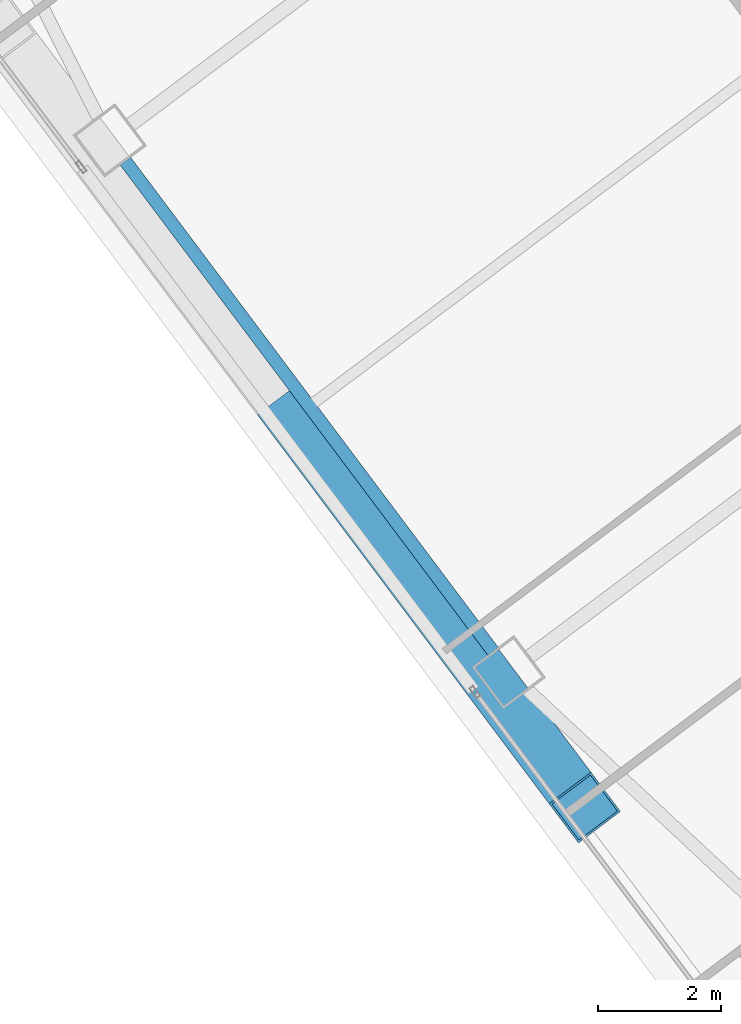
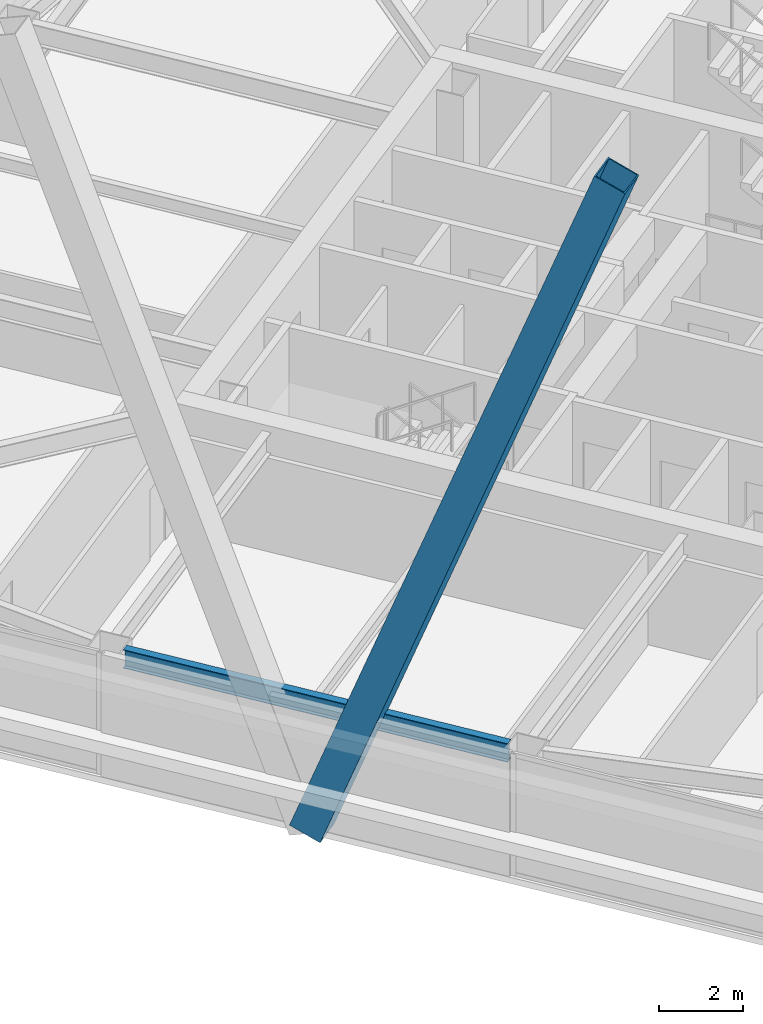
# One storey, part 20 of 50: 1 beam, 1 member.
"""IFC4 building model written with IfcOpenShell, lengths in metres."""

from ifc_helpers import new_model, si_unit, direction, frame, origin, origin_2d, place, context, subcontext, project, spatial, hollow_rectangle, i_section, extrude, material, material_profile, profile_set, type_object, element, save


model = new_model("IFC4")

# Units and contexts
model_context = context("Model", 3, precision=1e-05, world=origin(), true_north=direction((0.0, 1.0)))
body_context = subcontext(model_context, "Body", "Model", "MODEL_VIEW")
ifc_project = project(units=[si_unit("LENGTHUNIT", "METRE"), si_unit("AREAUNIT", "SQUARE_METRE"), si_unit("VOLUMEUNIT", "CUBIC_METRE"), si_unit("PLANEANGLEUNIT", "RADIAN"), si_unit("MASSUNIT", "GRAM", prefix="KILO")], contexts=[model_context])

# Site, building, storey
site_placement = place(None, origin())
site = spatial("IfcSite", under=ifc_project, at=site_placement, CompositionType="ELEMENT")
building_placement = place(site_placement, origin())
building = spatial("IfcBuilding", under=site, at=building_placement, Name="Tashvorn Skyway Center", CompositionType="ELEMENT")
storey_placement = place(building_placement, frame((0.0, 0.0, 114.39990234375)))
storey = spatial("IfcBuildingStorey", under=building, at=storey_placement, Name="L30", CompositionType="ELEMENT", Elevation=114.39990234375)

# Beam
ifc_material_1 = material(Name="Steel ASTM A992 Grade 50", Category="steel")
ifc_material_profile_1 = material_profile(ifc_material_1, i_section(OverallWidth=0.2109375, OverallDepth=0.5390625, WebThickness=0.01171875, FlangeThickness=0.018798828125, at=origin_2d()), Name="W21X73")
ifc_profile_set_1 = profile_set([ifc_material_profile_1], Name="Steel ASTM A992 Grade 50")
beam_type = type_object("IfcBeamType", Name="BM-SPANDREL-W21X73", PredefinedType="SPANDREL", material=ifc_profile_set_1)
beam_placement = place(storey_placement, frame((96.89208984375, 25.39404296875, 3.1005859375), z_axis=(0.599988234018, -0.800008824351, 0.0), x_axis=(0.800008824351, 0.599988234018, 0.0)))
element("IfcBeam", 1, at=beam_placement, inside=storey, type_object=beam_type, Name="Tower 2 L30 Spandrel Beam 11", PredefinedType="SPANDREL", context=body_context, shape_type="SweptSolid", body=[
    extrude(i_section(OverallWidth=0.2109375, OverallDepth=0.5390625, WebThickness=0.01171875, FlangeThickness=0.018798828125, at=origin_2d()), origin(), (0.0, 0.0, 1.0), 9.9599609375),
])

# Member
ifc_material_2 = material(Name="Steel ASTM A572 Grade 50", Category="steel")
ifc_material_profile_2 = material_profile(ifc_material_2, hollow_rectangle(XDim=0.85009765625, YDim=0.85009765625, WallThickness=0.034912109375, at=origin_2d()), Name="BOX850x850x35")
ifc_profile_set_2 = profile_set([ifc_material_profile_2], Name="Steel ASTM A572 Grade 50")
member_type = type_object("IfcMemberType", Name="MEM-MB-850", PredefinedType="BRACE", material=ifc_profile_set_2)
member_placement = place(storey_placement, frame((99.615966796875, 21.2119140625, -0.199951171875), z_axis=(0.210819902699, -0.281085964525, 0.936240166396), x_axis=(0.799992582871, 0.600009889378, 0.0)))
element("IfcMember", 2, at=member_placement, inside=storey, type_object=member_type, Name="Tower 2 Zone 3 W Chevron Mega-Brace R1", PredefinedType="BRACE", context=body_context, shape_type="SweptSolid", body=[
    extrude(hollow_rectangle(XDim=0.85009765625, YDim=0.85009765625, WallThickness=0.034912109375, at=origin_2d()), origin(), (0.0, 0.0, 1.0), 22.483642578125),
])

save(model, "model.ifc")
